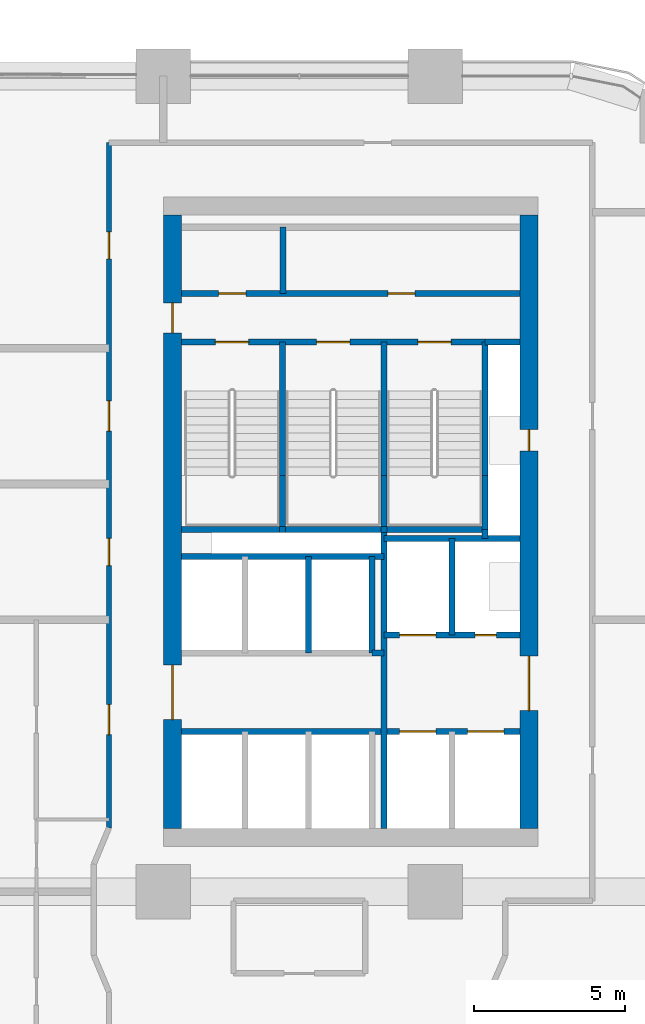
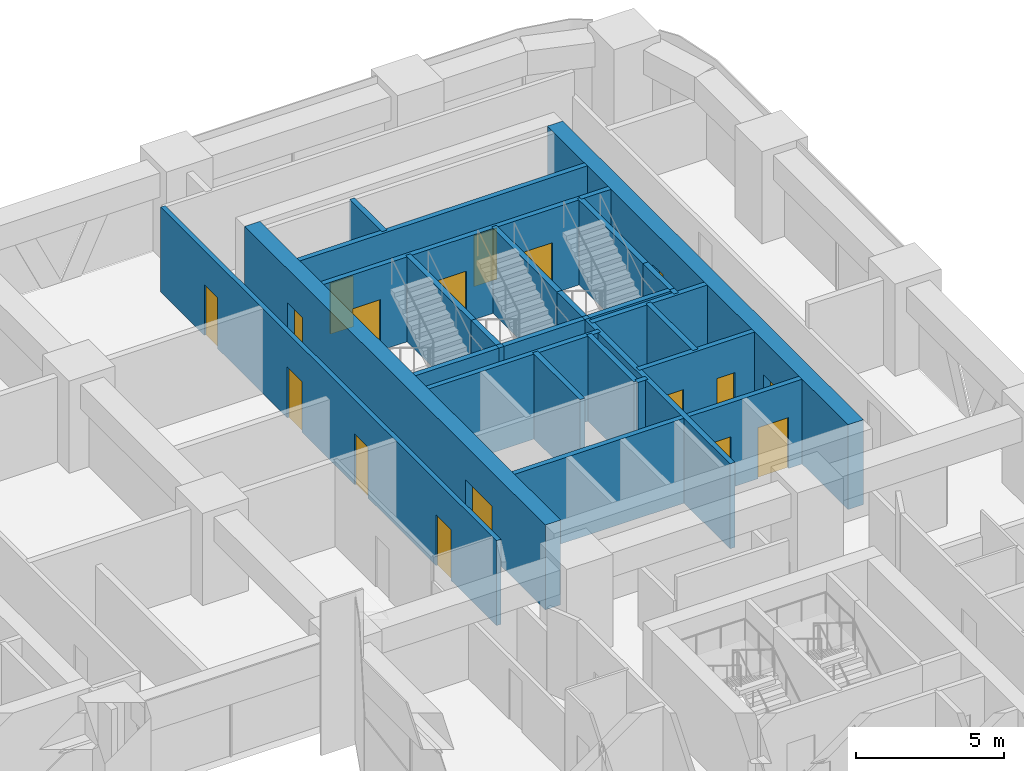
# One storey, part 15 of 18: 28 walls, 17 doors, 17 openings.
"""IFC4 building model written with IfcOpenShell, lengths in metres."""

from ifc_helpers import new_model, si_unit, direction, frame, frame_2d, origin, place, context, subcontext, project, spatial, rectangle, extrude, material, layer, layer_set, type_object, element, fill, save


model = new_model("IFC4")

# Units and contexts
model_context = context("Model", 3, precision=1e-05, world=origin(), true_north=direction((0.0, 1.0)))
body_context = subcontext(model_context, "Body", "Model", "MODEL_VIEW")
ifc_project = project(units=[si_unit("LENGTHUNIT", "METRE"), si_unit("AREAUNIT", "SQUARE_METRE"), si_unit("VOLUMEUNIT", "CUBIC_METRE"), si_unit("PLANEANGLEUNIT", "RADIAN"), si_unit("MASSUNIT", "GRAM", prefix="KILO")], contexts=[model_context])

# Site, building, storey
site_placement = place(None, origin())
site = spatial("IfcSite", under=ifc_project, at=site_placement, CompositionType="ELEMENT")
building_placement = place(site_placement, origin())
building = spatial("IfcBuilding", under=site, at=building_placement, Name="Tessera Arch", CompositionType="ELEMENT")
storey_placement = place(building_placement, frame((0.0, 0.0, 100.60009765625)))
storey = spatial("IfcBuildingStorey", under=building, at=storey_placement, Name="L23", CompositionType="ELEMENT", Elevation=100.60009765625)

# Walls
ifc_material_1 = material(Name="Gypsum board on steel stud", Category="steel")
ifc_layer_1 = layer(ifc_material_1, 0.125)
ifc_layer_set_1 = layer_set([ifc_layer_1], Name="Core partition 125 EI 60")
wall_type_1 = type_object("IfcWallType", Name="Core partition 125 EI 60", PredefinedType="PARTITIONING", material=ifc_layer_set_1)
wall_1_placement = place(storey_placement, frame((39.9599609375, 46.800048828125, 0.0), z_axis=(0.0, 0.0, 1.0), x_axis=(0.0, 1.0, 0.0)))
element("IfcWall", 1, at=wall_1_placement, inside=storey, type_object=wall_type_1, Name="L23 C1 partition wall 5", PredefinedType="PARTITIONING", context=body_context, shape_type="SweptSolid", body=[
    extrude(rectangle(XDim=2.199951171875, YDim=0.199951171875, at=frame_2d((1.10009765625, 0.0))), origin(), (0.0, 0.0, 1.0), 3.5),
])
wall_2_placement = place(storey_placement, frame((42.89990234375, 34.89990234375, 0.0), z_axis=(0.0, 0.0, 1.0), x_axis=(1.0, 0.0, 0.0)))
element("IfcWall", 2, at=wall_2_placement, inside=storey, type_object=wall_type_1, Name="L23 C1 partition wall 19", PredefinedType="PARTITIONING", context=body_context, shape_type="SweptSolid", body=[
    extrude(rectangle(XDim=0.400146484375, YDim=0.199951171875, at=frame_2d((0.2001953125, 0.0))), origin(), (0.0, 0.0, 1.0), 3.5),
])

# Wall, openings, doors
wall_3_placement = place(storey_placement, frame((36.60009765625, 46.800048828125, 0.0), z_axis=(0.0, 0.0, 1.0), x_axis=(1.0, 0.0, 0.0)))
wall_3 = element("IfcWall", 3, at=wall_3_placement, inside=storey, type_object=wall_type_1, Name="L23 C1 partition wall 31", PredefinedType="PARTITIONING", context=body_context, shape_type="SweptSolid", body=[
    extrude(rectangle(XDim=11.199951171875, YDim=0.199951171875, at=frame_2d((5.60009765625, 0.0))), origin(), (0.0, 0.0, 1.0), 3.5),
])
opening_1_placement = place(wall_3_placement, frame((1.22998046875, 0.0, 0.0)))
opening_1 = element("IfcOpeningElement", 4, at=opening_1_placement, cuts=wall_3, Name="Opening L23-C12", PredefinedType="OPENING", context=body_context, shape_type="SweptSolid", body=[
    extrude(rectangle(XDim=0.89990234375, YDim=2.10009765625, at=frame_2d((0.449951171875, 1.050048828125))), frame((0.0, 0.10986328125, 0.0), z_axis=(0.0, -1.0, 0.0), x_axis=(1.0, 0.0, 0.0)), (0.0, 0.0, 1.0), 0.219970703125),
])
opening_2_placement = place(wall_3_placement, frame((6.830078125, 0.0, 0.0)))
opening_2 = element("IfcOpeningElement", 5, at=opening_2_placement, cuts=wall_3, Name="Opening L23-C13", PredefinedType="OPENING", context=body_context, shape_type="SweptSolid", body=[
    extrude(rectangle(XDim=0.89990234375, YDim=2.10009765625, at=frame_2d((0.449951171875, 1.050048828125))), frame((0.0, 0.10986328125, 0.0), z_axis=(0.0, -1.0, 0.0), x_axis=(1.0, 0.0, 0.0)), (0.0, 0.0, 1.0), 0.219970703125),
])
ifc_material_2 = material(Name="Steel door leaf", Category="steel")
door_type_1 = type_object("IfcDoorType", Name="Store door FD30S 900 x 2100", OperationType="SINGLE_SWING_LEFT", PredefinedType="DOOR", material=ifc_material_2)
door_1_placement = place(opening_1_placement, origin())
door_1 = element("IfcDoor", 6, at=door_1_placement, inside=storey, type_object=door_type_1, Name="L23 C1 door 12 C12 type D09", OperationType="SINGLE_SWING_LEFT", OverallHeight=2.10009765625, OverallWidth=0.89990234375, PredefinedType="DOOR", context=body_context, shape_type="SweptSolid", body=[
    extrude(rectangle(XDim=0.89990234375, YDim=2.10009765625, at=frame_2d((0.449951171875, 1.050048828125))), frame((0.0, 0.02490234375, 0.0), z_axis=(0.0, -1.0, 0.0), x_axis=(1.0, 0.0, 0.0)), (0.0, 0.0, 1.0), 0.050048828125),
])
fill(opening_1, door_1)
door_2_placement = place(opening_2_placement, origin())
door_2 = element("IfcDoor", 7, at=door_2_placement, inside=storey, type_object=door_type_1, Name="L23 C1 door 13 C13 type D09", OperationType="SINGLE_SWING_RIGHT", OverallHeight=2.10009765625, OverallWidth=0.89990234375, PredefinedType="DOOR", context=body_context, shape_type="SweptSolid", body=[
    extrude(rectangle(XDim=0.89990234375, YDim=2.10009765625, at=frame_2d((0.449951171875, 1.050048828125))), frame((0.0, 0.02490234375, 0.0), z_axis=(0.0, -1.0, 0.0), x_axis=(1.0, 0.0, 0.0)), (0.0, 0.0, 1.0), 0.050048828125),
])
fill(opening_2, door_2)

ifc_material_3 = material(Name="Concrete C70/85", Category="concrete")
ifc_layer_2 = layer(ifc_material_3, 0.60009765625)
ifc_layer_set_2 = layer_set([ifc_layer_2], Name="Core shell wall 600 C70-85")
wall_type_2 = type_object("IfcWallType", Name="Core shell wall 600 C70-85", PredefinedType="SHEAR", material=ifc_layer_set_2)
wall_4_placement = place(storey_placement, frame((36.300048828125, 29.10009765625, 0.0), z_axis=(0.0, 0.0, 1.0), x_axis=(0.0, 1.0, 0.0)))
wall_4 = element("IfcWall", 8, at=wall_4_placement, inside=storey, type_object=wall_type_2, Name="L23 C1 core wall W", PredefinedType="SHEAR", context=body_context, shape_type="SweptSolid", body=[
    extrude(rectangle(XDim=20.2998046875, YDim=0.60009765625, at=frame_2d((10.14990234375, 0.0))), origin(), (0.0, 0.0, 1.0), 3.5),
])
opening_3_placement = place(wall_4_placement, frame((3.60009765625, 0.0, 0.0)))
opening_3 = element("IfcOpeningElement", 9, at=opening_3_placement, cuts=wall_4, Name="Opening L23-C04", PredefinedType="OPENING", context=body_context, shape_type="SweptSolid", body=[
    extrude(rectangle(XDim=1.800048828125, YDim=2.10009765625, at=frame_2d((0.89990234375, 1.050048828125))), frame((0.0, 0.31005859375, 0.0), z_axis=(0.0, -1.0, 0.0), x_axis=(1.0, 0.0, 0.0)), (0.0, 0.0, 1.0), 0.6201171875),
])
opening_4_placement = place(wall_4_placement, frame((16.39990234375, 0.0, 0.0)))
opening_4 = element("IfcOpeningElement", 10, at=opening_4_placement, cuts=wall_4, Name="Opening L23-C11", PredefinedType="OPENING", context=body_context, shape_type="SweptSolid", body=[
    extrude(rectangle(XDim=1.0, YDim=2.10009765625, at=frame_2d((0.5, 1.050048828125))), frame((0.0, 0.31005859375, 0.0), z_axis=(0.0, -1.0, 0.0), x_axis=(1.0, 0.0, 0.0)), (0.0, 0.0, 1.0), 0.6201171875),
])
ifc_material_4 = material(Name="Steel door leaf", Category="steel")
door_type_2 = type_object("IfcDoorType", Name="Corridor door FD60 1000 x 2100", OperationType="SINGLE_SWING_LEFT", PredefinedType="DOOR", material=ifc_material_4)
door_3_placement = place(opening_4_placement, origin())
door_3 = element("IfcDoor", 11, at=door_3_placement, inside=storey, type_object=door_type_2, Name="L23 C1 door 11 C11 type D12", OperationType="SINGLE_SWING_RIGHT", OverallHeight=2.10009765625, OverallWidth=1.0, PredefinedType="DOOR", context=body_context, shape_type="SweptSolid", body=[
    extrude(rectangle(XDim=1.0, YDim=2.10009765625, at=frame_2d((0.5, 1.050048828125))), frame((0.0, 0.02490234375, 0.0), z_axis=(0.0, -1.0, 0.0), x_axis=(1.0, 0.0, 0.0)), (0.0, 0.0, 1.0), 0.050048828125),
])
fill(opening_4, door_3)
ifc_material_5 = material(Name="Glazed steel door leaf", Category="steel")
door_type_3 = type_object("IfcDoorType", Name="Lobby double door FD30S 1800 x 2100", OperationType="DOUBLE_DOOR_SINGLE_SWING", PredefinedType="DOOR", material=ifc_material_5)
door_4_placement = place(opening_3_placement, origin())
door_4 = element("IfcDoor", 12, at=door_4_placement, inside=storey, type_object=door_type_3, Name="L23 C1 door 4 C04 type D06", OperationType="DOUBLE_DOOR_SINGLE_SWING", OverallHeight=2.10009765625, OverallWidth=1.800048828125, PredefinedType="DOOR", context=body_context, shape_type="SweptSolid", body=[
    extrude(rectangle(XDim=1.800048828125, YDim=2.10009765625, at=frame_2d((0.89990234375, 1.050048828125))), frame((0.0, 0.02490234375, 0.0), z_axis=(0.0, -1.0, 0.0), x_axis=(1.0, 0.0, 0.0)), (0.0, 0.0, 1.0), 0.050048828125),
])
fill(opening_3, door_4)

wall_5_placement = place(storey_placement, frame((48.10009765625, 29.10009765625, 0.0), z_axis=(0.0, 0.0, 1.0), x_axis=(0.0, 1.0, 0.0)))
wall_5 = element("IfcWall", 13, at=wall_5_placement, inside=storey, type_object=wall_type_2, Name="L23 C1 core wall E", PredefinedType="SHEAR", context=body_context, shape_type="SweptSolid", body=[
    extrude(rectangle(XDim=20.2998046875, YDim=0.60009765625, at=frame_2d((10.14990234375, 0.0))), origin(), (0.0, 0.0, 1.0), 3.5),
])
opening_5_placement = place(wall_5_placement, frame((12.5, 0.0, 0.0)))
opening_5 = element("IfcOpeningElement", 14, at=opening_5_placement, cuts=wall_5, Name="Opening L23-C08", PredefinedType="OPENING", context=body_context, shape_type="SweptSolid", body=[
    extrude(rectangle(XDim=0.699951171875, YDim=2.10009765625, at=frame_2d((0.35009765625, 1.050048828125))), frame((0.0, 0.31005859375, 0.0), z_axis=(0.0, -1.0, 0.0), x_axis=(1.0, 0.0, 0.0)), (0.0, 0.0, 1.0), 0.6201171875),
])
opening_6_placement = place(wall_5_placement, frame((3.89990234375, 0.0, 0.0)))
opening_6 = element("IfcOpeningElement", 15, at=opening_6_placement, cuts=wall_5, Name="Opening L23-C09", PredefinedType="OPENING", context=body_context, shape_type="SweptSolid", body=[
    extrude(rectangle(XDim=1.800048828125, YDim=2.10009765625, at=frame_2d((0.89990234375, 1.050048828125))), frame((0.0, 0.31005859375, 0.0), z_axis=(0.0, -1.0, 0.0), x_axis=(1.0, 0.0, 0.0)), (0.0, 0.0, 1.0), 0.6201171875),
])
ifc_material_6 = material(Name="Glazed steel door leaf", Category="steel")
door_type_4 = type_object("IfcDoorType", Name="Lobby double door FD60 1800 x 2100", OperationType="DOUBLE_DOOR_SINGLE_SWING", PredefinedType="DOOR", material=ifc_material_6)
door_5_placement = place(opening_6_placement, origin())
door_5 = element("IfcDoor", 16, at=door_5_placement, inside=storey, type_object=door_type_4, Name="L23 C1 door 9 C09 type D19", OperationType="DOUBLE_DOOR_SINGLE_SWING", OverallHeight=2.10009765625, OverallWidth=1.800048828125, PredefinedType="DOOR", context=body_context, shape_type="SweptSolid", body=[
    extrude(rectangle(XDim=1.800048828125, YDim=2.10009765625, at=frame_2d((0.89990234375, 1.050048828125))), frame((0.0, 0.02490234375, 0.0), z_axis=(0.0, -1.0, 0.0), x_axis=(1.0, 0.0, 0.0)), (0.0, 0.0, 1.0), 0.050048828125),
])
fill(opening_6, door_5)
ifc_material_7 = material(Name="Steel door leaf", Category="steel")
door_type_5 = type_object("IfcDoorType", Name="Service shaft door FD60 700 x 2100", OperationType="SINGLE_SWING_LEFT", PredefinedType="DOOR", material=ifc_material_7)
door_6_placement = place(opening_5_placement, origin())
door_6 = element("IfcDoor", 17, at=door_6_placement, inside=storey, type_object=door_type_5, Name="L23 C1 door 8 C08 type D07", OperationType="SINGLE_SWING_RIGHT", OverallHeight=2.10009765625, OverallWidth=0.699951171875, PredefinedType="DOOR", context=body_context, shape_type="SweptSolid", body=[
    extrude(rectangle(XDim=0.699951171875, YDim=2.10009765625, at=frame_2d((0.35009765625, 1.050048828125))), frame((0.0, 0.02490234375, 0.0), z_axis=(0.0, -1.0, 0.0), x_axis=(1.0, 0.0, 0.0)), (0.0, 0.0, 1.0), 0.050048828125),
])
fill(opening_5, door_6)

ifc_material_8 = material(Name="Gypsum board on deep steel stud with mineral wool", Category="steel")
ifc_layer_3 = layer(ifc_material_8, 0.175048828125)
ifc_layer_set_3 = layer_set([ifc_layer_3], Name="Corridor wall 175 EI 60")
wall_type_3 = type_object("IfcWallType", Name="Corridor wall 175 EI 60", PredefinedType="PARTITIONING", material=ifc_layer_set_3)
wall_6_placement = place(storey_placement, frame((34.199951171875, 29.1201171875, 0.0), z_axis=(0.0, 0.0, 1.0), x_axis=(0.0, 1.0, 0.0)))
wall_6 = element("IfcWall", 18, at=wall_6_placement, inside=storey, type_object=wall_type_3, Name="L23 partition 13", PredefinedType="PARTITIONING", context=body_context, shape_type="SweptSolid", body=[
    extrude(rectangle(XDim=22.679931640625, YDim=0.175048828125, at=frame_2d((11.33984375, 0.0))), origin(), (0.0, 0.0, 1.0), 3.5),
])
opening_7_placement = place(wall_6_placement, frame((3.080078125, 0.0, 0.0)))
opening_7 = element("IfcOpeningElement", 19, at=opening_7_placement, cuts=wall_6, Name="Opening L23-D022", PredefinedType="OPENING", context=body_context, shape_type="SweptSolid", body=[
    extrude(rectangle(XDim=1.0, YDim=2.10009765625, at=frame_2d((0.5, 1.050048828125))), frame((0.0, 0.097412109375, 0.0), z_axis=(0.0, -1.0, 0.0), x_axis=(1.0, 0.0, 0.0)), (0.0, 0.0, 1.0), 0.195068359375),
])
opening_8_placement = place(wall_6_placement, frame((8.679931640625, 0.0, 0.0)))
opening_8 = element("IfcOpeningElement", 20, at=opening_8_placement, cuts=wall_6, Name="Opening L23-D025", PredefinedType="OPENING", context=body_context, shape_type="SweptSolid", body=[
    extrude(rectangle(XDim=0.89990234375, YDim=2.10009765625, at=frame_2d((0.449951171875, 1.050048828125))), frame((0.0, 0.097412109375, 0.0), z_axis=(0.0, -1.0, 0.0), x_axis=(1.0, 0.0, 0.0)), (0.0, 0.0, 1.0), 0.195068359375),
])
opening_9_placement = place(wall_6_placement, frame((13.1298828125, 0.0, 0.0)))
opening_9 = element("IfcOpeningElement", 21, at=opening_9_placement, cuts=wall_6, Name="Opening L23-D028", PredefinedType="OPENING", context=body_context, shape_type="SweptSolid", body=[
    extrude(rectangle(XDim=1.0, YDim=2.10009765625, at=frame_2d((0.5, 1.050048828125))), frame((0.0, 0.097412109375, 0.0), z_axis=(0.0, -1.0, 0.0), x_axis=(1.0, 0.0, 0.0)), (0.0, 0.0, 1.0), 0.195068359375),
])
opening_10_placement = place(wall_6_placement, frame((18.830078125, 0.0, 0.0)))
opening_10 = element("IfcOpeningElement", 22, at=opening_10_placement, cuts=wall_6, Name="Opening L23-D032", PredefinedType="OPENING", context=body_context, shape_type="SweptSolid", body=[
    extrude(rectangle(XDim=0.89990234375, YDim=2.10009765625, at=frame_2d((0.449951171875, 1.050048828125))), frame((0.0, 0.097412109375, 0.0), z_axis=(0.0, -1.0, 0.0), x_axis=(1.0, 0.0, 0.0)), (0.0, 0.0, 1.0), 0.195068359375),
])
ifc_material_9 = material(Name="Fire-rated door leaf")
door_type_6 = type_object("IfcDoorType", Name="Entrance door FD30S 1000 x 2100", OperationType="SINGLE_SWING_LEFT", PredefinedType="DOOR", material=ifc_material_9)
door_7_placement = place(opening_7_placement, origin())
door_7 = element("IfcDoor", 23, at=door_7_placement, inside=storey, type_object=door_type_6, Name="L23 door D022 type D03", OperationType="SINGLE_SWING_RIGHT", OverallHeight=2.10009765625, OverallWidth=1.0, PredefinedType="DOOR", context=body_context, shape_type="SweptSolid", body=[
    extrude(rectangle(XDim=1.0, YDim=2.10009765625, at=frame_2d((0.5, 1.050048828125))), frame((0.0, 0.02490234375, 0.0), z_axis=(0.0, -1.0, 0.0), x_axis=(1.0, 0.0, 0.0)), (0.0, 0.0, 1.0), 0.050048828125),
])
fill(opening_7, door_7)
door_8_placement = place(opening_9_placement, origin())
door_8 = element("IfcDoor", 24, at=door_8_placement, inside=storey, type_object=door_type_6, Name="L23 door D028 type D03", OperationType="SINGLE_SWING_RIGHT", OverallHeight=2.10009765625, OverallWidth=1.0, PredefinedType="DOOR", context=body_context, shape_type="SweptSolid", body=[
    extrude(rectangle(XDim=1.0, YDim=2.10009765625, at=frame_2d((0.5, 1.050048828125))), frame((0.0, 0.02490234375, 0.0), z_axis=(0.0, -1.0, 0.0), x_axis=(1.0, 0.0, 0.0)), (0.0, 0.0, 1.0), 0.050048828125),
])
fill(opening_9, door_8)
ifc_material_10 = material(Name="Timber door leaf", Category="wood")
door_type_7 = type_object("IfcDoorType", Name="Room door 900 x 2100", OperationType="SINGLE_SWING_LEFT", PredefinedType="DOOR", material=ifc_material_10)
door_9_placement = place(opening_8_placement, origin())
door_9 = element("IfcDoor", 25, at=door_9_placement, inside=storey, type_object=door_type_7, Name="L23 door D025 type D01", OperationType="SINGLE_SWING_LEFT", OverallHeight=2.10009765625, OverallWidth=0.89990234375, PredefinedType="DOOR", context=body_context, shape_type="SweptSolid", body=[
    extrude(rectangle(XDim=0.89990234375, YDim=2.10009765625, at=frame_2d((0.449951171875, 1.050048828125))), frame((0.0, 0.02490234375, 0.0), z_axis=(0.0, -1.0, 0.0), x_axis=(1.0, 0.0, 0.0)), (0.0, 0.0, 1.0), 0.050048828125),
])
fill(opening_8, door_9)
door_10_placement = place(opening_10_placement, origin())
door_10 = element("IfcDoor", 26, at=door_10_placement, inside=storey, type_object=door_type_7, Name="L23 door D032 type D01", OperationType="SINGLE_SWING_RIGHT", OverallHeight=2.10009765625, OverallWidth=0.89990234375, PredefinedType="DOOR", context=body_context, shape_type="SweptSolid", body=[
    extrude(rectangle(XDim=0.89990234375, YDim=2.10009765625, at=frame_2d((0.449951171875, 1.050048828125))), frame((0.0, 0.02490234375, 0.0), z_axis=(0.0, -1.0, 0.0), x_axis=(1.0, 0.0, 0.0)), (0.0, 0.0, 1.0), 0.050048828125),
])
fill(opening_10, door_10)

# Walls
ifc_material_11 = material(Name="Concrete C40/50", Category="concrete")
ifc_layer_4 = layer(ifc_material_11, 0.199951171875)
ifc_layer_set_4 = layer_set([ifc_layer_4], Name="Shaft wall 200 EI 120")
wall_type_4 = type_object("IfcWallType", Name="Shaft wall 200 EI 120", PredefinedType="SOLIDWALL", material=ifc_layer_set_4)
for number, where, z_axis, x_axis, name in (
    (27, (40.800048828125, 34.89990234375, 0.0), (0.0, 0.0, 1.0), (0.0, 1.0, 0.0), "L23 C1 shaft wall 7"),
    (28, (42.89990234375, 34.89990234375, 0.0), (0.0, 0.0, 1.0), (0.0, 1.0, 0.0), "L23 C1 shaft wall 9"),
):
    element("IfcWall", number, at=place(storey_placement, frame(where, z_axis=z_axis, x_axis=x_axis)), inside=storey, type_object=wall_type_4, Name=name, PredefinedType="SOLIDWALL", context=body_context, shape_type="SweptSolid", body=[
        extrude(rectangle(XDim=3.2001953125, YDim=0.199951171875, at=frame_2d((1.60009765625, 0.0))), origin(), (0.0, 0.0, 1.0), 3.5),
    ])
wall_7_placement = place(storey_placement, frame((43.300048828125, 29.10009765625, 0.0), z_axis=(0.0, 0.0, 1.0), x_axis=(0.0, 1.0, 0.0)))
element("IfcWall", 29, at=wall_7_placement, inside=storey, type_object=wall_type_4, Name="L23 C1 shaft wall 10", PredefinedType="SOLIDWALL", context=body_context, shape_type="SweptSolid", body=[
    extrude(rectangle(XDim=9.89990234375, YDim=0.199951171875, at=frame_2d((4.949951171875, 0.0))), origin(), (0.0, 0.0, 1.0), 3.5),
])
wall_8_placement = place(storey_placement, frame((45.550048828125, 35.5, 0.0), z_axis=(0.0, 0.0, 1.0), x_axis=(0.0, 1.0, 0.0)))
element("IfcWall", 30, at=wall_8_placement, inside=storey, type_object=wall_type_4, Name="L23 C1 shaft wall 14", PredefinedType="SOLIDWALL", context=body_context, shape_type="SweptSolid", body=[
    extrude(rectangle(XDim=3.199951171875, YDim=0.199951171875, at=frame_2d((1.60009765625, 0.0))), origin(), (0.0, 0.0, 1.0), 3.5),
])
wall_9_placement = place(storey_placement, frame((46.64990234375, 38.699951171875, 0.0), z_axis=(0.0, 0.0, 1.0), x_axis=(0.0, 1.0, 0.0)))
element("IfcWall", 31, at=wall_9_placement, inside=storey, type_object=wall_type_4, Name="L23 C1 shaft wall 15", PredefinedType="SOLIDWALL", context=body_context, shape_type="SweptSolid", body=[
    extrude(rectangle(XDim=0.300048828125, YDim=0.199951171875, at=frame_2d((0.14990234375, 0.0))), origin(), (0.0, 0.0, 1.0), 3.5),
])

# Wall, openings, doors
wall_10_placement = place(storey_placement, frame((36.60009765625, 32.300048828125, 0.0), z_axis=(0.0, 0.0, 1.0), x_axis=(1.0, 0.0, 0.0)))
wall_10 = element("IfcWall", 32, at=wall_10_placement, inside=storey, type_object=wall_type_4, Name="L23 C1 shaft wall 18", PredefinedType="SOLIDWALL", context=body_context, shape_type="SweptSolid", body=[
    extrude(rectangle(XDim=11.199951171875, YDim=0.199951171875, at=frame_2d((5.60009765625, 0.0))), origin(), (0.0, 0.0, 1.0), 3.5),
])
opening_11_placement = place(wall_10_placement, frame((7.22509765625, 0.0, 0.0)))
opening_11 = element("IfcOpeningElement", 33, at=opening_11_placement, cuts=wall_10, Name="Opening L23-C01", PredefinedType="OPENING", context=body_context, shape_type="SweptSolid", body=[
    extrude(rectangle(XDim=1.199951171875, YDim=2.10009765625, at=frame_2d((0.60009765625, 1.050048828125))), frame((0.0, 0.10986328125, 0.0), z_axis=(0.0, -1.0, 0.0), x_axis=(1.0, 0.0, 0.0)), (0.0, 0.0, 1.0), 0.219970703125),
])
opening_12_placement = place(wall_10_placement, frame((9.47509765625, 0.0, 0.0)))
opening_12 = element("IfcOpeningElement", 34, at=opening_12_placement, cuts=wall_10, Name="Opening L23-C02", PredefinedType="OPENING", context=body_context, shape_type="SweptSolid", body=[
    extrude(rectangle(XDim=1.199951171875, YDim=2.10009765625, at=frame_2d((0.60009765625, 1.050048828125))), frame((0.0, 0.10986328125, 0.0), z_axis=(0.0, -1.0, 0.0), x_axis=(1.0, 0.0, 0.0)), (0.0, 0.0, 1.0), 0.219970703125),
])
ifc_material_12 = material(Name="Stainless steel AISI 304", Category="steel")
door_type_8 = type_object("IfcDoorType", Name="Sliding landing door 1200 x 2100", OperationType="SLIDING_TO_LEFT", PredefinedType="DOOR", material=ifc_material_12)
door_11_placement = place(opening_11_placement, origin())
door_11 = element("IfcDoor", 35, at=door_11_placement, inside=storey, type_object=door_type_8, Name="L23 FF1 lift landing door C01 type LD", OperationType="SLIDING_TO_LEFT", OverallHeight=2.10009765625, OverallWidth=1.199951171875, PredefinedType="DOOR", context=body_context, shape_type="SweptSolid", body=[
    extrude(rectangle(XDim=1.199951171875, YDim=2.10009765625, at=frame_2d((0.60009765625, 1.050048828125))), frame((0.0, 0.02490234375, 0.0), z_axis=(0.0, -1.0, 0.0), x_axis=(1.0, 0.0, 0.0)), (0.0, 0.0, 1.0), 0.050048828125),
])
fill(opening_11, door_11)
door_12_placement = place(opening_12_placement, origin())
door_12 = element("IfcDoor", 36, at=door_12_placement, inside=storey, type_object=door_type_8, Name="L23 FF2 lift landing door C02 type LD", OperationType="SLIDING_TO_LEFT", OverallHeight=2.10009765625, OverallWidth=1.199951171875, PredefinedType="DOOR", context=body_context, shape_type="SweptSolid", body=[
    extrude(rectangle(XDim=1.199951171875, YDim=2.10009765625, at=frame_2d((0.60009765625, 1.050048828125))), frame((0.0, 0.02490234375, 0.0), z_axis=(0.0, -1.0, 0.0), x_axis=(1.0, 0.0, 0.0)), (0.0, 0.0, 1.0), 0.050048828125),
])
fill(opening_12, door_12)

wall_11_placement = place(storey_placement, frame((43.300048828125, 35.5, 0.0), z_axis=(0.0, 0.0, 1.0), x_axis=(1.0, 0.0, 0.0)))
wall_11 = element("IfcWall", 37, at=wall_11_placement, inside=storey, type_object=wall_type_4, Name="L23 C1 shaft wall 21", PredefinedType="SOLIDWALL", context=body_context, shape_type="SweptSolid", body=[
    extrude(rectangle(XDim=4.5, YDim=0.199951171875, at=frame_2d((2.25, 0.0))), origin(), (0.0, 0.0, 1.0), 3.5),
])
opening_13_placement = place(wall_11_placement, frame((0.52490234375, 0.0, 0.0)))
opening_13 = element("IfcOpeningElement", 38, at=opening_13_placement, cuts=wall_11, Name="Opening L23-C03", PredefinedType="OPENING", context=body_context, shape_type="SweptSolid", body=[
    extrude(rectangle(XDim=1.199951171875, YDim=2.10009765625, at=frame_2d((0.60009765625, 1.050048828125))), frame((0.0, 0.10986328125, 0.0), z_axis=(0.0, -1.0, 0.0), x_axis=(1.0, 0.0, 0.0)), (0.0, 0.0, 1.0), 0.219970703125),
])
opening_14_placement = place(wall_11_placement, frame((3.02490234375, 0.0, 0.0)))
opening_14 = element("IfcOpeningElement", 39, at=opening_14_placement, cuts=wall_11, Name="Opening L23-C10", PredefinedType="OPENING", context=body_context, shape_type="SweptSolid", body=[
    extrude(rectangle(XDim=0.699951171875, YDim=2.10009765625, at=frame_2d((0.35009765625, 1.050048828125))), frame((0.0, 0.10986328125, 0.0), z_axis=(0.0, -1.0, 0.0), x_axis=(1.0, 0.0, 0.0)), (0.0, 0.0, 1.0), 0.219970703125),
])
door_13_placement = place(opening_14_placement, origin())
door_13 = element("IfcDoor", 40, at=door_13_placement, inside=storey, type_object=door_type_5, Name="L23 C1 door 10 C10 type D07", OperationType="SINGLE_SWING_RIGHT", OverallHeight=2.10009765625, OverallWidth=0.699951171875, PredefinedType="DOOR", context=body_context, shape_type="SweptSolid", body=[
    extrude(rectangle(XDim=0.699951171875, YDim=2.10009765625, at=frame_2d((0.35009765625, 1.050048828125))), frame((0.0, 0.02490234375, 0.0), z_axis=(0.0, -1.0, 0.0), x_axis=(1.0, 0.0, 0.0)), (0.0, 0.0, 1.0), 0.050048828125),
])
fill(opening_14, door_13)
door_14_placement = place(opening_13_placement, origin())
door_14 = element("IfcDoor", 41, at=door_14_placement, inside=storey, type_object=door_type_8, Name="L23 SV2 lift landing door C03 type LD", OperationType="SLIDING_TO_LEFT", OverallHeight=2.10009765625, OverallWidth=1.199951171875, PredefinedType="DOOR", context=body_context, shape_type="SweptSolid", body=[
    extrude(rectangle(XDim=1.199951171875, YDim=2.10009765625, at=frame_2d((0.60009765625, 1.050048828125))), frame((0.0, 0.02490234375, 0.0), z_axis=(0.0, -1.0, 0.0), x_axis=(1.0, 0.0, 0.0)), (0.0, 0.0, 1.0), 0.050048828125),
])
fill(opening_13, door_14)

# Walls
wall_12_placement = place(storey_placement, frame((36.60009765625, 38.10009765625, 0.0), z_axis=(0.0, 0.0, 1.0), x_axis=(1.0, 0.0, 0.0)))
element("IfcWall", 42, at=wall_12_placement, inside=storey, type_object=wall_type_4, Name="L23 C1 shaft wall 22", PredefinedType="SOLIDWALL", context=body_context, shape_type="SweptSolid", body=[
    extrude(rectangle(XDim=6.699951171875, YDim=0.199951171875, at=frame_2d((3.35009765625, 0.0))), origin(), (0.0, 0.0, 1.0), 3.5),
])
wall_13_placement = place(storey_placement, frame((43.300048828125, 38.699951171875, 0.0), z_axis=(0.0, 0.0, 1.0), x_axis=(1.0, 0.0, 0.0)))
element("IfcWall", 43, at=wall_13_placement, inside=storey, type_object=wall_type_4, Name="L23 C1 shaft wall 23", PredefinedType="SOLIDWALL", context=body_context, shape_type="SweptSolid", body=[
    extrude(rectangle(XDim=4.5, YDim=0.199951171875, at=frame_2d((2.25, 0.0))), origin(), (0.0, 0.0, 1.0), 3.5),
])
wall_14_placement = place(storey_placement, frame((46.64990234375, 45.199951171875, 0.0), z_axis=(0.0, 0.0, 1.0), x_axis=(1.0, 0.0, 0.0)))
element("IfcWall", 44, at=wall_14_placement, inside=storey, type_object=wall_type_4, Name="L23 C1 shaft wall 29", PredefinedType="SOLIDWALL", context=body_context, shape_type="SweptSolid", body=[
    extrude(rectangle(XDim=1.150146484375, YDim=0.199951171875, at=frame_2d((0.5751953125, 0.0))), origin(), (0.0, 0.0, 1.0), 3.5),
])
ifc_material_13 = material(Name="Concrete C40/50", Category="concrete")
ifc_layer_5 = layer(ifc_material_13, 0.199951171875)
ifc_layer_set_5 = layer_set([ifc_layer_5], Name="Stair well wall 200 REI 180")
wall_type_5 = type_object("IfcWallType", Name="Stair well wall 200 REI 180", PredefinedType="SOLIDWALL", material=ifc_layer_set_5)
wall_15_placement = place(storey_placement, frame((39.949951171875, 39.0, 0.0), z_axis=(0.0, 0.0, 1.0), x_axis=(0.0, 1.0, 0.0)))
element("IfcWall", 45, at=wall_15_placement, inside=storey, type_object=wall_type_5, Name="L23 C1 shaft wall 3", PredefinedType="SOLIDWALL", context=body_context, shape_type="SweptSolid", body=[
    extrude(rectangle(XDim=1.780029296875, YDim=0.199951171875, at=frame_2d((0.89013671875, 0.0))), origin(), (0.0, 0.0, 1.0), 3.5),
])
wall_16_placement = place(storey_placement, frame((39.949951171875, 40.780029296875, 0.0), z_axis=(0.0, 0.0, 1.0), x_axis=(0.0, 1.0, 0.0)))
element("IfcWall", 46, at=wall_16_placement, inside=storey, type_object=wall_type_5, Name="L23 C1 shaft wall 4", PredefinedType="SOLIDWALL", context=body_context, shape_type="SweptSolid", body=[
    extrude(rectangle(XDim=4.419921875, YDim=0.199951171875, at=frame_2d((2.2099609375, 0.0))), origin(), (0.0, 0.0, 1.0), 3.5),
])
wall_17_placement = place(storey_placement, frame((43.300048828125, 39.0, 0.0), z_axis=(0.0, 0.0, 1.0), x_axis=(0.0, 1.0, 0.0)))
element("IfcWall", 47, at=wall_17_placement, inside=storey, type_object=wall_type_5, Name="L23 C1 shaft wall 11", PredefinedType="SOLIDWALL", context=body_context, shape_type="SweptSolid", body=[
    extrude(rectangle(XDim=1.780029296875, YDim=0.199951171875, at=frame_2d((0.89013671875, 0.0))), origin(), (0.0, 0.0, 1.0), 3.5),
])
wall_18_placement = place(storey_placement, frame((43.300048828125, 40.780029296875, 0.0), z_axis=(0.0, 0.0, 1.0), x_axis=(0.0, 1.0, 0.0)))
element("IfcWall", 48, at=wall_18_placement, inside=storey, type_object=wall_type_5, Name="L23 C1 shaft wall 12", PredefinedType="SOLIDWALL", context=body_context, shape_type="SweptSolid", body=[
    extrude(rectangle(XDim=4.419921875, YDim=0.199951171875, at=frame_2d((2.2099609375, 0.0))), origin(), (0.0, 0.0, 1.0), 3.5),
])
wall_19_placement = place(storey_placement, frame((46.64990234375, 39.0, 0.0), z_axis=(0.0, 0.0, 1.0), x_axis=(0.0, 1.0, 0.0)))
element("IfcWall", 49, at=wall_19_placement, inside=storey, type_object=wall_type_5, Name="L23 C1 shaft wall 16", PredefinedType="SOLIDWALL", context=body_context, shape_type="SweptSolid", body=[
    extrude(rectangle(XDim=1.780029296875, YDim=0.199951171875, at=frame_2d((0.89013671875, 0.0))), origin(), (0.0, 0.0, 1.0), 3.5),
])
wall_20_placement = place(storey_placement, frame((46.64990234375, 40.780029296875, 0.0), z_axis=(0.0, 0.0, 1.0), x_axis=(0.0, 1.0, 0.0)))
element("IfcWall", 50, at=wall_20_placement, inside=storey, type_object=wall_type_5, Name="L23 C1 shaft wall 17", PredefinedType="SOLIDWALL", context=body_context, shape_type="SweptSolid", body=[
    extrude(rectangle(XDim=4.419921875, YDim=0.199951171875, at=frame_2d((2.2099609375, 0.0))), origin(), (0.0, 0.0, 1.0), 3.5),
])
wall_21_placement = place(storey_placement, frame((36.60009765625, 39.0, 0.0), z_axis=(0.0, 0.0, 1.0), x_axis=(1.0, 0.0, 0.0)))
element("IfcWall", 51, at=wall_21_placement, inside=storey, type_object=wall_type_5, Name="L23 C1 shaft wall 24", PredefinedType="SOLIDWALL", context=body_context, shape_type="SweptSolid", body=[
    extrude(rectangle(XDim=3.25, YDim=0.199951171875, at=frame_2d((1.625, 0.0))), origin(), (0.0, 0.0, 1.0), 3.5),
])
wall_22_placement = place(storey_placement, frame((39.85009765625, 39.0, 0.0), z_axis=(0.0, 0.0, 1.0), x_axis=(1.0, 0.0, 0.0)))
element("IfcWall", 52, at=wall_22_placement, inside=storey, type_object=wall_type_5, Name="L23 C1 shaft wall 25", PredefinedType="SOLIDWALL", context=body_context, shape_type="SweptSolid", body=[
    extrude(rectangle(XDim=0.199951171875, YDim=0.199951171875, at=frame_2d((0.10009765625, 0.0))), origin(), (0.0, 0.0, 1.0), 3.5),
])
wall_23_placement = place(storey_placement, frame((40.050048828125, 39.0, 0.0), z_axis=(0.0, 0.0, 1.0), x_axis=(1.0, 0.0, 0.0)))
element("IfcWall", 53, at=wall_23_placement, inside=storey, type_object=wall_type_5, Name="L23 C1 shaft wall 26", PredefinedType="SOLIDWALL", context=body_context, shape_type="SweptSolid", body=[
    extrude(rectangle(XDim=3.14990234375, YDim=0.199951171875, at=frame_2d((1.574951171875, 0.0))), origin(), (0.0, 0.0, 1.0), 3.5),
])
wall_24_placement = place(storey_placement, frame((43.199951171875, 39.0, 0.0), z_axis=(0.0, 0.0, 1.0), x_axis=(1.0, 0.0, 0.0)))
element("IfcWall", 54, at=wall_24_placement, inside=storey, type_object=wall_type_5, Name="L23 C1 shaft wall 27", PredefinedType="SOLIDWALL", context=body_context, shape_type="SweptSolid", body=[
    extrude(rectangle(XDim=0.199951171875, YDim=0.199951171875, at=frame_2d((0.10009765625, 0.0))), origin(), (0.0, 0.0, 1.0), 3.5),
])
wall_25_placement = place(storey_placement, frame((43.39990234375, 39.0, 0.0), z_axis=(0.0, 0.0, 1.0), x_axis=(1.0, 0.0, 0.0)))
element("IfcWall", 55, at=wall_25_placement, inside=storey, type_object=wall_type_5, Name="L23 C1 shaft wall 28", PredefinedType="SOLIDWALL", context=body_context, shape_type="SweptSolid", body=[
    extrude(rectangle(XDim=3.25, YDim=0.199951171875, at=frame_2d((1.625, 0.0))), origin(), (0.0, 0.0, 1.0), 3.5),
])

# Wall, openings, doors
wall_26_placement = place(storey_placement, frame((36.60009765625, 45.199951171875, 0.0), z_axis=(0.0, 0.0, 1.0), x_axis=(1.0, 0.0, 0.0)))
wall_26 = element("IfcWall", 56, at=wall_26_placement, inside=storey, type_object=wall_type_5, Name="L23 C1 shaft wall 30", PredefinedType="SOLIDWALL", context=body_context, shape_type="SweptSolid", body=[
    extrude(rectangle(XDim=10.0498046875, YDim=0.199951171875, at=frame_2d((5.02490234375, 0.0))), origin(), (0.0, 0.0, 1.0), 3.5),
])
opening_15_placement = place(wall_26_placement, frame((1.125, 0.0, 0.0)))
opening_15 = element("IfcOpeningElement", 57, at=opening_15_placement, cuts=wall_26, Name="Opening L23-C05", PredefinedType="OPENING", context=body_context, shape_type="SweptSolid", body=[
    extrude(rectangle(XDim=1.10009765625, YDim=2.10009765625, at=frame_2d((0.550048828125, 1.050048828125))), frame((0.0, 0.10986328125, 0.0), z_axis=(0.0, -1.0, 0.0), x_axis=(1.0, 0.0, 0.0)), (0.0, 0.0, 1.0), 0.219970703125),
])
opening_16_placement = place(wall_26_placement, frame((4.47509765625, 0.0, 0.0)))
opening_16 = element("IfcOpeningElement", 58, at=opening_16_placement, cuts=wall_26, Name="Opening L23-C06", PredefinedType="OPENING", context=body_context, shape_type="SweptSolid", body=[
    extrude(rectangle(XDim=1.10009765625, YDim=2.10009765625, at=frame_2d((0.550048828125, 1.050048828125))), frame((0.0, 0.10986328125, 0.0), z_axis=(0.0, -1.0, 0.0), x_axis=(1.0, 0.0, 0.0)), (0.0, 0.0, 1.0), 0.219970703125),
])
opening_17_placement = place(wall_26_placement, frame((7.824951171875, 0.0, 0.0)))
opening_17 = element("IfcOpeningElement", 59, at=opening_17_placement, cuts=wall_26, Name="Opening L23-C07", PredefinedType="OPENING", context=body_context, shape_type="SweptSolid", body=[
    extrude(rectangle(XDim=1.10009765625, YDim=2.10009765625, at=frame_2d((0.550048828125, 1.050048828125))), frame((0.0, 0.10986328125, 0.0), z_axis=(0.0, -1.0, 0.0), x_axis=(1.0, 0.0, 0.0)), (0.0, 0.0, 1.0), 0.219970703125),
])
ifc_material_14 = material(Name="Steel door leaf", Category="steel")
door_type_9 = type_object("IfcDoorType", Name="Stair door FD60 1100 x 2100", OperationType="SINGLE_SWING_LEFT", PredefinedType="DOOR", material=ifc_material_14)
door_15_placement = place(opening_15_placement, origin())
door_15 = element("IfcDoor", 60, at=door_15_placement, inside=storey, type_object=door_type_9, Name="L23 C1 door 5 C05 type D05", OperationType="SINGLE_SWING_LEFT", OverallHeight=2.10009765625, OverallWidth=1.10009765625, PredefinedType="DOOR", context=body_context, shape_type="SweptSolid", body=[
    extrude(rectangle(XDim=1.10009765625, YDim=2.10009765625, at=frame_2d((0.550048828125, 1.050048828125))), frame((0.0, 0.02490234375, 0.0), z_axis=(0.0, -1.0, 0.0), x_axis=(1.0, 0.0, 0.0)), (0.0, 0.0, 1.0), 0.050048828125),
])
fill(opening_15, door_15)
door_16_placement = place(opening_16_placement, origin())
door_16 = element("IfcDoor", 61, at=door_16_placement, inside=storey, type_object=door_type_9, Name="L23 C1 door 6 C06 type D05", OperationType="SINGLE_SWING_RIGHT", OverallHeight=2.10009765625, OverallWidth=1.10009765625, PredefinedType="DOOR", context=body_context, shape_type="SweptSolid", body=[
    extrude(rectangle(XDim=1.10009765625, YDim=2.10009765625, at=frame_2d((0.550048828125, 1.050048828125))), frame((0.0, 0.02490234375, 0.0), z_axis=(0.0, -1.0, 0.0), x_axis=(1.0, 0.0, 0.0)), (0.0, 0.0, 1.0), 0.050048828125),
])
fill(opening_16, door_16)
door_17_placement = place(opening_17_placement, origin())
door_17 = element("IfcDoor", 62, at=door_17_placement, inside=storey, type_object=door_type_9, Name="L23 C1 door 7 C07 type D05", OperationType="SINGLE_SWING_RIGHT", OverallHeight=2.10009765625, OverallWidth=1.10009765625, PredefinedType="DOOR", context=body_context, shape_type="SweptSolid", body=[
    extrude(rectangle(XDim=1.10009765625, YDim=2.10009765625, at=frame_2d((0.550048828125, 1.050048828125))), frame((0.0, 0.02490234375, 0.0), z_axis=(0.0, -1.0, 0.0), x_axis=(1.0, 0.0, 0.0)), (0.0, 0.0, 1.0), 0.050048828125),
])
fill(opening_17, door_17)

save(model, "model.ifc")
